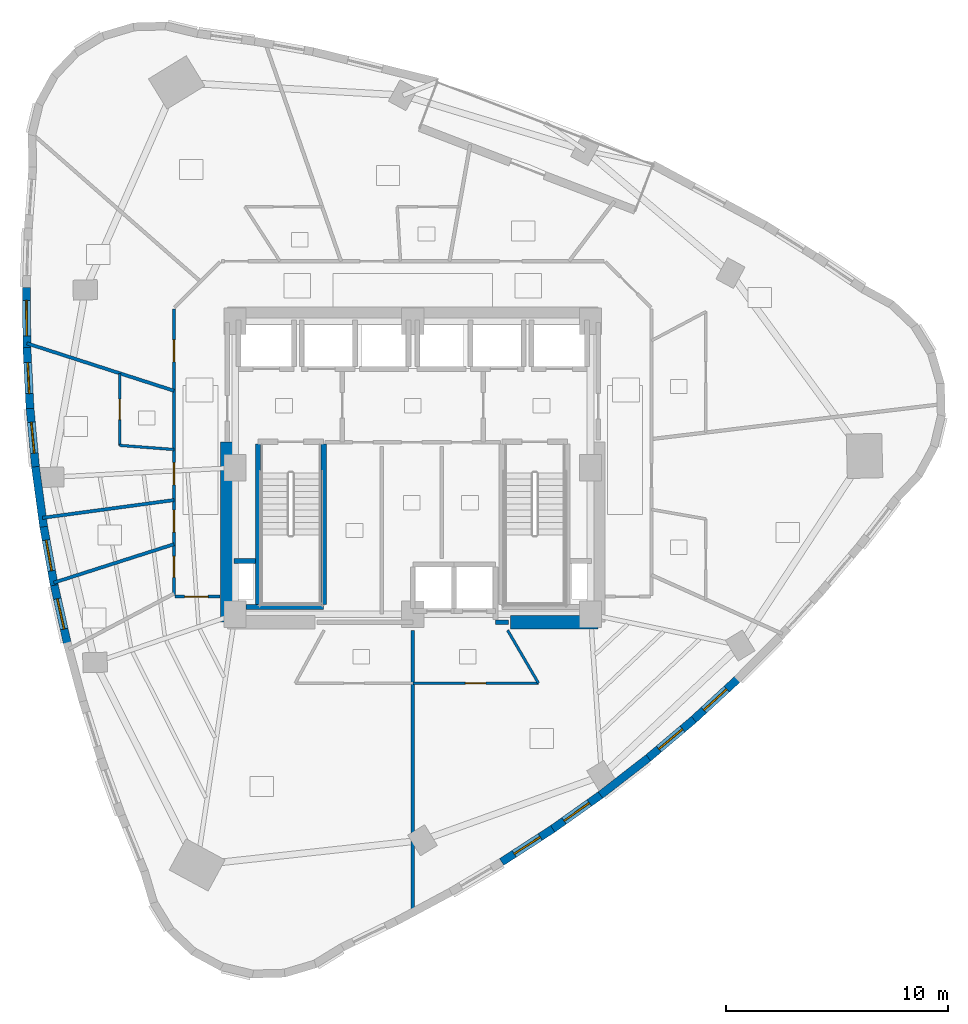
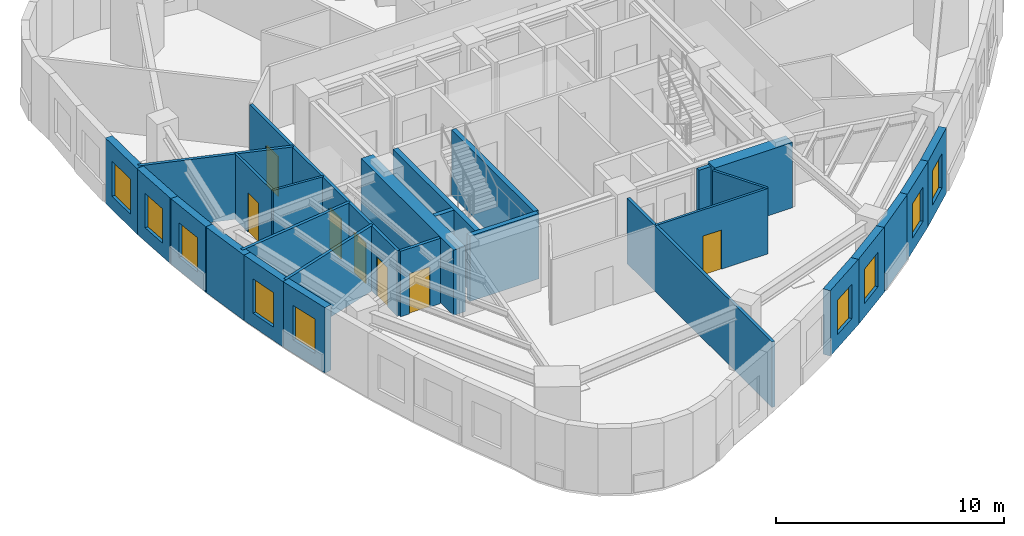
# One storey, part 6 of 12: 28 walls, 9 windows, 7 doors, 16 openings.
"""IFC4 building model written with IfcOpenShell, lengths in metres."""

from ifc_helpers import new_model, si_unit, direction, frame, frame_2d, origin, place, context, subcontext, project, spatial, rectangle, extrude, material, layer, layer_set, type_object, element, fill, save


model = new_model("IFC4")

# Units and contexts
model_context = context("Model", 3, precision=1e-05, world=origin(), true_north=direction((0.0, 1.0)))
body_context = subcontext(model_context, "Body", "Model", "MODEL_VIEW")
ifc_project = project(units=[si_unit("LENGTHUNIT", "METRE"), si_unit("AREAUNIT", "SQUARE_METRE"), si_unit("VOLUMEUNIT", "CUBIC_METRE"), si_unit("PLANEANGLEUNIT", "RADIAN"), si_unit("MASSUNIT", "GRAM", prefix="KILO")], contexts=[model_context])

# Site, building, storey
site_placement = place(None, origin())
site = spatial("IfcSite", under=ifc_project, at=site_placement, CompositionType="ELEMENT")
building_placement = place(site_placement, origin())
building = spatial("IfcBuilding", under=site, at=building_placement, Name="Ndelora Gate Hotel", CompositionType="ELEMENT")
storey_placement = place(building_placement, frame((0.0, 0.0, 161.0)))
storey = spatial("IfcBuildingStorey", under=building, at=storey_placement, Name="L40", CompositionType="ELEMENT", Elevation=161.0)

# Wall, opening, window
ifc_material_1 = material(Name="Clay Brick Masonry", Category="masonry")
ifc_layer_1 = layer(ifc_material_1, 0.360107421875)
ifc_layer_set_1 = layer_set([ifc_layer_1], Name="Clay Brick Masonry")
wall_type_1 = type_object("IfcWallType", Name="WL-BRICK-360", PredefinedType="SOLIDWALL", material=ifc_layer_set_1)
wall_1_placement = place(storey_placement, frame((-17.373779296875, 5.3603515625, 0.0), z_axis=(0.0, 0.0, 1.0), x_axis=(-0.009381778629, 0.999955990146, 0.0)))
wall_1 = element("IfcWall", 1, at=wall_1_placement, inside=storey, type_object=wall_type_1, Name="L40 Tower Brick Pier-and-Spandrel Wall TWR-11", PredefinedType="SOLIDWALL", context=body_context, shape_type="SweptSolid", body=[
    extrude(rectangle(XDim=2.75830078125, YDim=0.360107421875, at=frame_2d((1.379150390625, 0.0))), origin(), (0.0, 0.0, 1.0), 3.5),
])
opening_1_placement = place(wall_1_placement, frame((0.5791015625, 0.0, 0.719970703125)))
opening_1 = element("IfcOpeningElement", 2, at=opening_1_placement, cuts=wall_1, Name="Opening W01", PredefinedType="OPENING", context=body_context, shape_type="SweptSolid", body=[
    extrude(rectangle(XDim=1.60009765625, YDim=1.8798828125, at=frame_2d((0.800048828125, 0.93994140625))), frame((0.0, 0.18994140625, 0.0), z_axis=(0.0, -1.0, 0.0), x_axis=(1.0, 0.0, 0.0)), (0.0, 0.0, 1.0), 0.380126953125),
])
ifc_material_2 = material(Name="Insulated Low-E Double Glazing in Bronze Aluminium Frame", Category="aluminium")
window_type_1 = type_object("IfcWindowType", Name="WN-DEEP-1600", PartitioningType="SINGLE_PANEL", PredefinedType="WINDOW", material=ifc_material_2)
window_1_placement = place(opening_1_placement, origin())
window_1 = element("IfcWindow", 3, at=window_1_placement, inside=storey, type_object=window_type_1, Name="L40 Deep-Set Brick-Pier Window W01", OverallHeight=1.8798828125, OverallWidth=1.60009765625, PartitioningType="SINGLE_PANEL", PredefinedType="WINDOW", context=body_context, shape_type="SweptSolid", body=[
    extrude(rectangle(XDim=1.60009765625, YDim=1.8798828125, at=frame_2d((0.800048828125, 0.93994140625))), frame((0.0, 0.030029296875, 0.0), z_axis=(0.0, -1.0, 0.0), x_axis=(1.0, 0.0, 0.0)), (0.0, 0.0, 1.0), 0.06005859375),
])
fill(opening_1, window_1)

wall_2_placement = place(storey_placement, frame((-17.23486328125, 2.669921875, 0.0), z_axis=(0.0, 0.0, 1.0), x_axis=(-0.051157869298, 0.998690578913, 0.0)))
wall_2 = element("IfcWall", 4, at=wall_2_placement, inside=storey, type_object=wall_type_1, Name="L40 Tower Brick Pier-and-Spandrel Wall TWR-12", PredefinedType="SOLIDWALL", context=body_context, shape_type="SweptSolid", body=[
    extrude(rectangle(XDim=2.744140625, YDim=0.360107421875, at=frame_2d((1.3720703125, 0.0))), origin(), (0.0, 0.0, 1.0), 3.5),
])
opening_2_placement = place(wall_2_placement, frame((0.672119140625, 0.0, 0.719970703125)))
opening_2 = element("IfcOpeningElement", 5, at=opening_2_placement, cuts=wall_2, Name="Opening W02", PredefinedType="OPENING", context=body_context, shape_type="SweptSolid", body=[
    extrude(rectangle(XDim=1.39990234375, YDim=1.840087890625, at=frame_2d((0.699951171875, 0.919921875))), frame((0.0, 0.18994140625, 0.0), z_axis=(0.0, -1.0, 0.0), x_axis=(1.0, 0.0, 0.0)), (0.0, 0.0, 1.0), 0.380126953125),
])
window_type_2 = type_object("IfcWindowType", Name="WN-DEEP-1400", PartitioningType="SINGLE_PANEL", PredefinedType="WINDOW", material=ifc_material_2)
window_2_placement = place(opening_2_placement, origin())
window_2 = element("IfcWindow", 6, at=window_2_placement, inside=storey, type_object=window_type_2, Name="L40 Deep-Set Brick-Pier Window W02", OverallHeight=1.840087890625, OverallWidth=1.39990234375, PartitioningType="SINGLE_PANEL", PredefinedType="WINDOW", context=body_context, shape_type="SweptSolid", body=[
    extrude(rectangle(XDim=1.39990234375, YDim=1.840087890625, at=frame_2d((0.699951171875, 0.919921875))), frame((0.0, 0.030029296875, 0.0), z_axis=(0.0, -1.0, 0.0), x_axis=(1.0, 0.0, 0.0)), (0.0, 0.0, 1.0), 0.06005859375),
])
fill(opening_2, window_2)

wall_3_placement = place(storey_placement, frame((-16.9833984375, -0.002685546875, 0.0), z_axis=(0.0, 0.0, 1.0), x_axis=(-0.09321624124, 0.995645887035, 0.0)))
wall_3 = element("IfcWall", 7, at=wall_3_placement, inside=storey, type_object=wall_type_1, Name="L40 Tower Brick Pier-and-Spandrel Wall TWR-13", PredefinedType="SOLIDWALL", context=body_context, shape_type="SweptSolid", body=[
    extrude(rectangle(XDim=2.734375, YDim=0.360107421875, at=frame_2d((1.3671875, 0.0))), origin(), (0.0, 0.0, 1.0), 3.5),
])
opening_3_placement = place(wall_3_placement, frame((0.667236328125, 0.0, 0.719970703125)))
opening_3 = element("IfcOpeningElement", 8, at=opening_3_placement, cuts=wall_3, Name="Opening W02", PredefinedType="OPENING", context=body_context, shape_type="SweptSolid", body=[
    extrude(rectangle(XDim=1.39990234375, YDim=1.840087890625, at=frame_2d((0.699951171875, 0.919921875))), frame((0.0, 0.18994140625, 0.0), z_axis=(0.0, -1.0, 0.0), x_axis=(1.0, 0.0, 0.0)), (0.0, 0.0, 1.0), 0.380126953125),
])
window_3_placement = place(opening_3_placement, origin())
window_3 = element("IfcWindow", 9, at=window_3_placement, inside=storey, type_object=window_type_2, Name="L40 Deep-Set Brick-Pier Window W02", OverallHeight=1.840087890625, OverallWidth=1.39990234375, PartitioningType="SINGLE_PANEL", PredefinedType="WINDOW", context=body_context, shape_type="SweptSolid", body=[
    extrude(rectangle(XDim=1.39990234375, YDim=1.840087890625, at=frame_2d((0.699951171875, 0.919921875))), frame((0.0, 0.030029296875, 0.0), z_axis=(0.0, -1.0, 0.0), x_axis=(1.0, 0.0, 0.0)), (0.0, 0.0, 1.0), 0.06005859375),
])
fill(opening_3, window_3)

# Wall
wall_4_placement = place(storey_placement, frame((-16.61962890625, -2.65771484375, 0.0), z_axis=(0.0, 0.0, 1.0), x_axis=(-0.135408542402, 0.99078984989, 0.0)))
element("IfcWall", 10, at=wall_4_placement, inside=storey, type_object=wall_type_1, Name="L40 Tower Brick Pier-and-Spandrel Wall TWR-14", PredefinedType="SOLIDWALL", context=body_context, shape_type="SweptSolid", body=[
    extrude(rectangle(XDim=2.729736328125, YDim=0.360107421875, at=frame_2d((1.36474609375, 0.0))), origin(), (0.0, 0.0, 1.0), 3.5),
])

# Wall, opening, window
wall_5_placement = place(storey_placement, frame((-16.143310546875, -5.29443359375, 0.0), z_axis=(0.0, 0.0, 1.0), x_axis=(-0.177366119488, 0.984144938339, 0.0)))
wall_5 = element("IfcWall", 11, at=wall_5_placement, inside=storey, type_object=wall_type_1, Name="L40 Tower Brick Pier-and-Spandrel Wall TWR-15", PredefinedType="SOLIDWALL", context=body_context, shape_type="SweptSolid", body=[
    extrude(rectangle(XDim=2.7294921875, YDim=0.360107421875, at=frame_2d((1.36474609375, 0.0))), origin(), (0.0, 0.0, 1.0), 3.5),
])
opening_4_placement = place(wall_5_placement, frame((0.664794921875, 0.0, 0.719970703125)))
opening_4 = element("IfcOpeningElement", 12, at=opening_4_placement, cuts=wall_5, Name="Opening W02", PredefinedType="OPENING", context=body_context, shape_type="SweptSolid", body=[
    extrude(rectangle(XDim=1.39990234375, YDim=1.840087890625, at=frame_2d((0.699951171875, 0.919921875))), frame((0.0, 0.18994140625, 0.0), z_axis=(0.0, -1.0, 0.0), x_axis=(1.0, 0.0, 0.0)), (0.0, 0.0, 1.0), 0.380126953125),
])
window_4_placement = place(opening_4_placement, origin())
window_4 = element("IfcWindow", 13, at=window_4_placement, inside=storey, type_object=window_type_2, Name="L40 Deep-Set Brick-Pier Window W02", OverallHeight=1.840087890625, OverallWidth=1.39990234375, PartitioningType="SINGLE_PANEL", PredefinedType="WINDOW", context=body_context, shape_type="SweptSolid", body=[
    extrude(rectangle(XDim=1.39990234375, YDim=1.840087890625, at=frame_2d((0.699951171875, 0.919921875))), frame((0.0, 0.030029296875, 0.0), z_axis=(0.0, -1.0, 0.0), x_axis=(1.0, 0.0, 0.0)), (0.0, 0.0, 1.0), 0.06005859375),
])
fill(opening_4, window_4)

wall_6_placement = place(storey_placement, frame((-15.55419921875, -7.91357421875, 0.0), z_axis=(0.0, 0.0, 1.0), x_axis=(-0.219019260065, 0.975720535666, 0.0)))
wall_6 = element("IfcWall", 14, at=wall_6_placement, inside=storey, type_object=wall_type_1, Name="L40 Tower Brick Pier-and-Spandrel Wall TWR-16", PredefinedType="SOLIDWALL", context=body_context, shape_type="SweptSolid", body=[
    extrude(rectangle(XDim=2.734375, YDim=0.360107421875, at=frame_2d((1.3671875, 0.0))), origin(), (0.0, 0.0, 1.0), 3.5),
])
opening_5_placement = place(wall_6_placement, frame((0.667236328125, 0.0, 0.719970703125)))
opening_5 = element("IfcOpeningElement", 15, at=opening_5_placement, cuts=wall_6, Name="Opening W02", PredefinedType="OPENING", context=body_context, shape_type="SweptSolid", body=[
    extrude(rectangle(XDim=1.39990234375, YDim=1.840087890625, at=frame_2d((0.699951171875, 0.919921875))), frame((0.0, 0.18994140625, 0.0), z_axis=(0.0, -1.0, 0.0), x_axis=(1.0, 0.0, 0.0)), (0.0, 0.0, 1.0), 0.380126953125),
])
window_5_placement = place(opening_5_placement, origin())
window_5 = element("IfcWindow", 16, at=window_5_placement, inside=storey, type_object=window_type_2, Name="L40 Deep-Set Brick-Pier Window W02", OverallHeight=1.840087890625, OverallWidth=1.39990234375, PartitioningType="SINGLE_PANEL", PredefinedType="WINDOW", context=body_context, shape_type="SweptSolid", body=[
    extrude(rectangle(XDim=1.39990234375, YDim=1.840087890625, at=frame_2d((0.699951171875, 0.919921875))), frame((0.0, 0.030029296875, 0.0), z_axis=(0.0, -1.0, 0.0), x_axis=(1.0, 0.0, 0.0)), (0.0, 0.0, 1.0), 0.06005859375),
])
fill(opening_5, window_5)

wall_7_placement = place(storey_placement, frame((6.305419921875, -16.2607421875, 0.0), z_axis=(0.0, 0.0, 1.0), x_axis=(-0.839300336379, -0.543668047023, 0.0)))
wall_7 = element("IfcWall", 17, at=wall_7_placement, inside=storey, type_object=wall_type_1, Name="L40 Tower Brick Pier-and-Spandrel Wall TWR-32", PredefinedType="SOLIDWALL", context=body_context, shape_type="SweptSolid", body=[
    extrude(rectangle(XDim=2.744140625, YDim=0.360107421875, at=frame_2d((1.3720703125, 0.0))), origin(), (0.0, 0.0, 1.0), 3.5),
])
opening_6_placement = place(wall_7_placement, frame((0.672119140625, 0.0, 0.719970703125)))
opening_6 = element("IfcOpeningElement", 18, at=opening_6_placement, cuts=wall_7, Name="Opening W02", PredefinedType="OPENING", context=body_context, shape_type="SweptSolid", body=[
    extrude(rectangle(XDim=1.39990234375, YDim=1.840087890625, at=frame_2d((0.699951171875, 0.919921875))), frame((0.0, 0.18994140625, 0.0), z_axis=(0.0, -1.0, 0.0), x_axis=(1.0, 0.0, 0.0)), (0.0, 0.0, 1.0), 0.380126953125),
])
window_6_placement = place(opening_6_placement, origin())
window_6 = element("IfcWindow", 19, at=window_6_placement, inside=storey, type_object=window_type_2, Name="L40 Deep-Set Brick-Pier Window W02", OverallHeight=1.840087890625, OverallWidth=1.39990234375, PartitioningType="SINGLE_PANEL", PredefinedType="WINDOW", context=body_context, shape_type="SweptSolid", body=[
    extrude(rectangle(XDim=1.39990234375, YDim=1.840087890625, at=frame_2d((0.699951171875, 0.919921875))), frame((0.0, 0.030029296875, 0.0), z_axis=(0.0, -1.0, 0.0), x_axis=(1.0, 0.0, 0.0)), (0.0, 0.0, 1.0), 0.06005859375),
])
fill(opening_6, window_6)

wall_8_placement = place(storey_placement, frame((8.494140625, -14.706787109375, 0.0), z_axis=(0.0, 0.0, 1.0), x_axis=(-0.815629470239, -0.578574599579, 0.0)))
wall_8 = element("IfcWall", 20, at=wall_8_placement, inside=storey, type_object=wall_type_1, Name="L40 Tower Brick Pier-and-Spandrel Wall TWR-33", PredefinedType="SOLIDWALL", context=body_context, shape_type="SweptSolid", body=[
    extrude(rectangle(XDim=2.734375, YDim=0.360107421875, at=frame_2d((1.3671875, 0.0))), origin(), (0.0, 0.0, 1.0), 3.5),
])
opening_7_placement = place(wall_8_placement, frame((0.667236328125, 0.0, 0.719970703125)))
opening_7 = element("IfcOpeningElement", 21, at=opening_7_placement, cuts=wall_8, Name="Opening W02", PredefinedType="OPENING", context=body_context, shape_type="SweptSolid", body=[
    extrude(rectangle(XDim=1.39990234375, YDim=1.840087890625, at=frame_2d((0.699951171875, 0.919921875))), frame((0.0, 0.18994140625, 0.0), z_axis=(0.0, -1.0, 0.0), x_axis=(1.0, 0.0, 0.0)), (0.0, 0.0, 1.0), 0.380126953125),
])
window_7_placement = place(opening_7_placement, origin())
window_7 = element("IfcWindow", 22, at=window_7_placement, inside=storey, type_object=window_type_2, Name="L40 Deep-Set Brick-Pier Window W02", OverallHeight=1.840087890625, OverallWidth=1.39990234375, PartitioningType="SINGLE_PANEL", PredefinedType="WINDOW", context=body_context, shape_type="SweptSolid", body=[
    extrude(rectangle(XDim=1.39990234375, YDim=1.840087890625, at=frame_2d((0.699951171875, 0.919921875))), frame((0.0, 0.030029296875, 0.0), z_axis=(0.0, -1.0, 0.0), x_axis=(1.0, 0.0, 0.0)), (0.0, 0.0, 1.0), 0.06005859375),
])
fill(opening_7, window_7)

# Wall
wall_9_placement = place(storey_placement, frame((10.611328125, -13.064208984375, 0.0), z_axis=(0.0, 0.0, 1.0), x_axis=(-0.790324098026, -0.612689007637, 0.0)))
element("IfcWall", 23, at=wall_9_placement, inside=storey, type_object=wall_type_1, Name="L40 Tower Brick Pier-and-Spandrel Wall TWR-34", PredefinedType="SOLIDWALL", context=body_context, shape_type="SweptSolid", body=[
    extrude(rectangle(XDim=2.7294921875, YDim=0.360107421875, at=frame_2d((1.36474609375, 0.0))), origin(), (0.0, 0.0, 1.0), 3.5),
])

# Wall, opening, window
wall_10_placement = place(storey_placement, frame((12.65673828125, -11.333251953125, 0.0), z_axis=(0.0, 0.0, 1.0), x_axis=(-0.76358981137, -0.645701633862, 0.0)))
wall_10 = element("IfcWall", 24, at=wall_10_placement, inside=storey, type_object=wall_type_1, Name="L40 Tower Brick Pier-and-Spandrel Wall TWR-35", PredefinedType="SOLIDWALL", context=body_context, shape_type="SweptSolid", body=[
    extrude(rectangle(XDim=2.7294921875, YDim=0.360107421875, at=frame_2d((1.36474609375, 0.0))), origin(), (0.0, 0.0, 1.0), 3.5),
])
opening_8_placement = place(wall_10_placement, frame((0.664794921875, 0.0, 0.719970703125)))
opening_8 = element("IfcOpeningElement", 25, at=opening_8_placement, cuts=wall_10, Name="Opening W02", PredefinedType="OPENING", context=body_context, shape_type="SweptSolid", body=[
    extrude(rectangle(XDim=1.39990234375, YDim=1.840087890625, at=frame_2d((0.699951171875, 0.919921875))), frame((0.0, 0.18994140625, 0.0), z_axis=(0.0, -1.0, 0.0), x_axis=(1.0, 0.0, 0.0)), (0.0, 0.0, 1.0), 0.380126953125),
])
window_8_placement = place(opening_8_placement, origin())
window_8 = element("IfcWindow", 26, at=window_8_placement, inside=storey, type_object=window_type_2, Name="L40 Deep-Set Brick-Pier Window W02", OverallHeight=1.840087890625, OverallWidth=1.39990234375, PartitioningType="SINGLE_PANEL", PredefinedType="WINDOW", context=body_context, shape_type="SweptSolid", body=[
    extrude(rectangle(XDim=1.39990234375, YDim=1.840087890625, at=frame_2d((0.699951171875, 0.919921875))), frame((0.0, 0.030029296875, 0.0), z_axis=(0.0, -1.0, 0.0), x_axis=(1.0, 0.0, 0.0)), (0.0, 0.0, 1.0), 0.06005859375),
])
fill(opening_8, window_8)

wall_11_placement = place(storey_placement, frame((14.630615234375, -9.513671875, 0.0), z_axis=(0.0, 0.0, 1.0), x_axis=(-0.735528713193, -0.677493551312, 0.0)))
wall_11 = element("IfcWall", 27, at=wall_11_placement, inside=storey, type_object=wall_type_1, Name="L40 Tower Brick Pier-and-Spandrel Wall TWR-36", PredefinedType="SOLIDWALL", context=body_context, shape_type="SweptSolid", body=[
    extrude(rectangle(XDim=2.734375, YDim=0.360107421875, at=frame_2d((1.3671875, 0.0))), origin(), (0.0, 0.0, 1.0), 3.5),
])
opening_9_placement = place(wall_11_placement, frame((0.667236328125, 0.0, 0.719970703125)))
opening_9 = element("IfcOpeningElement", 28, at=opening_9_placement, cuts=wall_11, Name="Opening W02", PredefinedType="OPENING", context=body_context, shape_type="SweptSolid", body=[
    extrude(rectangle(XDim=1.39990234375, YDim=1.840087890625, at=frame_2d((0.699951171875, 0.919921875))), frame((0.0, 0.18994140625, 0.0), z_axis=(0.0, -1.0, 0.0), x_axis=(1.0, 0.0, 0.0)), (0.0, 0.0, 1.0), 0.380126953125),
])
window_9_placement = place(opening_9_placement, origin())
window_9 = element("IfcWindow", 29, at=window_9_placement, inside=storey, type_object=window_type_2, Name="L40 Deep-Set Brick-Pier Window W02", OverallHeight=1.840087890625, OverallWidth=1.39990234375, PartitioningType="SINGLE_PANEL", PredefinedType="WINDOW", context=body_context, shape_type="SweptSolid", body=[
    extrude(rectangle(XDim=1.39990234375, YDim=1.840087890625, at=frame_2d((0.699951171875, 0.919921875))), frame((0.0, 0.030029296875, 0.0), z_axis=(0.0, -1.0, 0.0), x_axis=(1.0, 0.0, 0.0)), (0.0, 0.0, 1.0), 0.06005859375),
])
fill(opening_9, window_9)

# Walls
ifc_material_3 = material(Name="Concrete C60/75", Category="concrete")
ifc_layer_2 = layer(ifc_material_3, 0.60009765625)
ifc_layer_set_2 = layer_set([ifc_layer_2], Name="Concrete C60/75")
wall_type_2 = type_object("IfcWallType", Name="WL-CORE-600", PredefinedType="SHEAR", material=ifc_layer_set_2)
wall_12_placement = place(storey_placement, frame((4.39990234375, -6.949951171875, 0.0), z_axis=(0.0, 0.0, 1.0), x_axis=(1.0, 0.0, 0.0)))
element("IfcWall", 30, at=wall_12_placement, inside=storey, type_object=wall_type_2, Name="L40 Core Shear Wall S-E", PredefinedType="SHEAR", context=body_context, shape_type="SweptSolid", body=[
    extrude(rectangle(XDim=3.9501953125, YDim=0.60009765625, at=frame_2d((1.97509765625, 0.0))), origin(), (0.0, 0.0, 1.0), 3.5),
])
wall_13_placement = place(storey_placement, frame((-8.35009765625, -6.949951171875, 0.0), z_axis=(0.0, 0.0, 1.0), x_axis=(0.0, 1.0, 0.0)))
element("IfcWall", 31, at=wall_13_placement, inside=storey, type_object=wall_type_2, Name="L40 Core Shear Wall W", PredefinedType="SHEAR", context=body_context, shape_type="SweptSolid", body=[
    extrude(rectangle(XDim=8.099853515625, YDim=0.60009765625, at=frame_2d((4.0498046875, 0.0))), origin(), (0.0, 0.0, 1.0), 3.5),
])
ifc_material_4 = material(Name="Concrete C40/50", Category="concrete")
ifc_layer_3 = layer(ifc_material_4, 0.199951171875)
ifc_layer_set_3 = layer_set([ifc_layer_3], Name="Concrete C40/50")
wall_type_3 = type_object("IfcWallType", Name="WL-FIRE-200", PredefinedType="PARTITIONING", material=ifc_layer_set_3)
wall_14_placement = place(storey_placement, frame((3.719970703125, -6.949951171875, 0.0), z_axis=(0.0, 0.0, 1.0), x_axis=(1.0, 0.0, 0.0)))
element("IfcWall", 32, at=wall_14_placement, inside=storey, type_object=wall_type_3, Name="L40 Interior Wall IW-2", PredefinedType="PARTITIONING", context=body_context, shape_type="SweptSolid", body=[
    extrude(rectangle(XDim=0.60009765625, YDim=0.199951171875, at=frame_2d((0.300048828125, 0.0))), origin(), (0.0, 0.0, 1.0), 3.5),
])

# Wall, opening, door
ifc_material_5 = material(Name="Fire-Rated Gypsum Stud Partition", Category="gypsum")
ifc_layer_4 = layer(ifc_material_5, 0.14990234375)
ifc_layer_set_4 = layer_set([ifc_layer_4], Name="Fire-Rated Gypsum Stud Partition")
wall_type_4 = type_object("IfcWallType", Name="WL-PART-150", PredefinedType="PARTITIONING", material=ifc_layer_set_4)
wall_15_placement = place(storey_placement, frame((-8.68994140625, -5.800048828125, 0.0), z_axis=(0.0, 0.0, 1.0), x_axis=(-1.0, 0.0, 0.0)))
wall_15 = element("IfcWall", 33, at=wall_15_placement, inside=storey, type_object=wall_type_4, Name="L40 Interior Wall IW-5", PredefinedType="PARTITIONING", context=body_context, shape_type="SweptSolid", body=[
    extrude(rectangle(XDim=2.02001953125, YDim=0.14990234375, at=frame_2d((1.010009765625, 0.0))), origin(), (0.0, 0.0, 1.0), 3.5),
])
opening_10_placement = place(wall_15_placement, frame((0.52001953125, 0.0, 0.0)))
opening_10 = element("IfcOpeningElement", 34, at=opening_10_placement, cuts=wall_15, Name="Opening D07", PredefinedType="OPENING", context=body_context, shape_type="SweptSolid", body=[
    extrude(rectangle(XDim=1.06005859375, YDim=2.14990234375, at=frame_2d((0.530029296875, 1.074951171875))), frame((0.0, 0.0849609375, 0.0), z_axis=(0.0, -1.0, 0.0), x_axis=(1.0, 0.0, 0.0)), (0.0, 0.0, 1.0), 0.169921875),
])
ifc_material_6 = material(Name="Diplomatic Suite Acoustic Entrance Door", Category="wood")
door_type_1 = type_object("IfcDoorType", Name="DR-SUITE-1060", OperationType="SINGLE_SWING_LEFT", PredefinedType="DOOR", material=ifc_material_6)
door_1_placement = place(opening_10_placement, origin())
door_1 = element("IfcDoor", 35, at=door_1_placement, inside=storey, type_object=door_type_1, Name="L40 Club King Corner Suite 4301 Entrance Door", OperationType="SINGLE_SWING_RIGHT", OverallHeight=2.14990234375, OverallWidth=1.06005859375, PredefinedType="DOOR", context=body_context, shape_type="SweptSolid", body=[
    extrude(rectangle(XDim=1.06005859375, YDim=2.14990234375, at=frame_2d((0.530029296875, 1.074951171875))), frame((0.0, 0.02490234375, 0.0), z_axis=(0.0, -1.0, 0.0), x_axis=(1.0, 0.0, 0.0)), (0.0, 0.0, 1.0), 0.050048828125),
])
fill(opening_10, door_1)

# Wall, openings, doors
wall_16_placement = place(storey_placement, frame((-10.75, -5.760009765625, 0.0), z_axis=(0.0, 0.0, 1.0), x_axis=(0.0, 1.0, 0.0)))
wall_16 = element("IfcWall", 36, at=wall_16_placement, inside=storey, type_object=wall_type_4, Name="L40 Interior Wall IW-5", PredefinedType="PARTITIONING", context=body_context, shape_type="SweptSolid", body=[
    extrude(rectangle(XDim=12.919921875, YDim=0.14990234375, at=frame_2d((6.4599609375, 0.0))), origin(), (0.0, 0.0, 1.0), 3.5),
])
opening_11_placement = place(wall_16_placement, frame((0.82421875, 0.0, 0.0)))
opening_11 = element("IfcOpeningElement", 37, at=opening_11_placement, cuts=wall_16, Name="Opening D05", PredefinedType="OPENING", context=body_context, shape_type="SweptSolid", body=[
    extrude(rectangle(XDim=0.949951171875, YDim=2.10009765625, at=frame_2d((0.47509765625, 1.050048828125))), frame((0.0, 0.0849609375, 0.0), z_axis=(0.0, -1.0, 0.0), x_axis=(1.0, 0.0, 0.0)), (0.0, 0.0, 1.0), 0.169921875),
])
opening_12_placement = place(wall_16_placement, frame((2.85791015625, 0.0, 0.0)))
opening_12 = element("IfcOpeningElement", 38, at=opening_12_placement, cuts=wall_16, Name="Opening D01", PredefinedType="OPENING", context=body_context, shape_type="SweptSolid", body=[
    extrude(rectangle(XDim=1.0, YDim=2.14990234375, at=frame_2d((0.5, 1.074951171875))), frame((0.0, 0.0849609375, 0.0), z_axis=(0.0, -1.0, 0.0), x_axis=(1.0, 0.0, 0.0)), (0.0, 0.0, 1.0), 0.169921875),
])
opening_13_placement = place(wall_16_placement, frame((4.992431640625, 0.0, 0.0)))
opening_13 = element("IfcOpeningElement", 39, at=opening_13_placement, cuts=wall_16, Name="Opening D01", PredefinedType="OPENING", context=body_context, shape_type="SweptSolid", body=[
    extrude(rectangle(XDim=1.0, YDim=2.14990234375, at=frame_2d((0.5, 1.074951171875))), frame((0.0, 0.0849609375, 0.0), z_axis=(0.0, -1.0, 0.0), x_axis=(1.0, 0.0, 0.0)), (0.0, 0.0, 1.0), 0.169921875),
])
opening_14_placement = place(wall_16_placement, frame((10.52294921875, 0.0, 0.0)))
opening_14 = element("IfcOpeningElement", 40, at=opening_14_placement, cuts=wall_16, Name="Opening D01", PredefinedType="OPENING", context=body_context, shape_type="SweptSolid", body=[
    extrude(rectangle(XDim=1.0, YDim=2.14990234375, at=frame_2d((0.5, 1.074951171875))), frame((0.0, 0.0849609375, 0.0), z_axis=(0.0, -1.0, 0.0), x_axis=(1.0, 0.0, 0.0)), (0.0, 0.0, 1.0), 0.169921875),
])
ifc_material_7 = material(Name="Accessible Restroom Wide-Clearance Door", Category="wood")
door_type_2 = type_object("IfcDoorType", Name="DR-ACC-950", OperationType="SINGLE_SWING_LEFT", PredefinedType="DOOR", material=ifc_material_7)
door_2_placement = place(opening_11_placement, origin())
door_2 = element("IfcDoor", 41, at=door_2_placement, inside=storey, type_object=door_type_2, Name="L40 Accessible WC Entrance Door", OperationType="SINGLE_SWING_RIGHT", OverallHeight=2.10009765625, OverallWidth=0.949951171875, PredefinedType="DOOR", context=body_context, shape_type="SweptSolid", body=[
    extrude(rectangle(XDim=0.949951171875, YDim=2.10009765625, at=frame_2d((0.47509765625, 1.050048828125))), frame((0.0, 0.02490234375, 0.0), z_axis=(0.0, -1.0, 0.0), x_axis=(1.0, 0.0, 0.0)), (0.0, 0.0, 1.0), 0.050048828125),
])
fill(opening_11, door_2)
ifc_material_8 = material(Name="Acoustic Hardwood Guest Entrance Door", Category="wood")
door_type_3 = type_object("IfcDoorType", Name="DR-COR-1000", OperationType="SINGLE_SWING_LEFT", PredefinedType="DOOR", material=ifc_material_8)
door_3_placement = place(opening_12_placement, origin())
door_3 = element("IfcDoor", 42, at=door_3_placement, inside=storey, type_object=door_type_3, Name="L40 Housekeeping and Linen Room Entrance Door", OperationType="SINGLE_SWING_LEFT", OverallHeight=2.14990234375, OverallWidth=1.0, PredefinedType="DOOR", context=body_context, shape_type="SweptSolid", body=[
    extrude(rectangle(XDim=1.0, YDim=2.14990234375, at=frame_2d((0.5, 1.074951171875))), frame((0.0, 0.02490234375, 0.0), z_axis=(0.0, -1.0, 0.0), x_axis=(1.0, 0.0, 0.0)), (0.0, 0.0, 1.0), 0.050048828125),
])
fill(opening_12, door_3)
door_4_placement = place(opening_13_placement, origin())
door_4 = element("IfcDoor", 43, at=door_4_placement, inside=storey, type_object=door_type_3, Name="L40 Club Twin Guest Room 4307 Entrance Door", OperationType="SINGLE_SWING_LEFT", OverallHeight=2.14990234375, OverallWidth=1.0, PredefinedType="DOOR", context=body_context, shape_type="SweptSolid", body=[
    extrude(rectangle(XDim=1.0, YDim=2.14990234375, at=frame_2d((0.5, 1.074951171875))), frame((0.0, 0.02490234375, 0.0), z_axis=(0.0, -1.0, 0.0), x_axis=(1.0, 0.0, 0.0)), (0.0, 0.0, 1.0), 0.050048828125),
])
fill(opening_13, door_4)
door_5_placement = place(opening_14_placement, origin())
door_5 = element("IfcDoor", 44, at=door_5_placement, inside=storey, type_object=door_type_3, Name="L40 Quiet Reading Library Entrance Door", OperationType="SINGLE_SWING_LEFT", OverallHeight=2.14990234375, OverallWidth=1.0, PredefinedType="DOOR", context=body_context, shape_type="SweptSolid", body=[
    extrude(rectangle(XDim=1.0, YDim=2.14990234375, at=frame_2d((0.5, 1.074951171875))), frame((0.0, 0.02490234375, 0.0), z_axis=(0.0, -1.0, 0.0), x_axis=(1.0, 0.0, 0.0)), (0.0, 0.0, 1.0), 0.050048828125),
])
fill(opening_14, door_5)

# Walls
wall_17_placement = place(storey_placement, frame((0.0, -7.320068359375, 0.0), z_axis=(0.0, 0.0, 1.0), x_axis=(0.0, -1.0, 0.0)))
element("IfcWall", 45, at=wall_17_placement, inside=storey, type_object=wall_type_4, Name="L40 Interior Wall IW-5", PredefinedType="PARTITIONING", context=body_context, shape_type="SweptSolid", body=[
    extrude(rectangle(XDim=12.7001953125, YDim=0.14990234375, at=frame_2d((6.35009765625, 0.0))), origin(), (0.0, 0.0, 1.0), 3.5),
])
wall_18_placement = place(storey_placement, frame((-10.75, 3.4658203125, 0.0), z_axis=(0.0, 0.0, 1.0), x_axis=(-0.951758183767, 0.306849082828, 0.0)))
element("IfcWall", 46, at=wall_18_placement, inside=storey, type_object=wall_type_4, Name="L40 Interior Wall IW-5", PredefinedType="PARTITIONING", context=body_context, shape_type="SweptSolid", body=[
    extrude(rectangle(XDim=6.9619140625, YDim=0.14990234375, at=frame_2d((3.48095703125, 0.0))), origin(), (0.0, 0.0, 1.0), 3.5),
])
wall_19_placement = place(storey_placement, frame((-10.75, -1.45458984375, 0.0), z_axis=(0.0, 0.0, 1.0), x_axis=(-0.990972499341, -0.134065303306, 0.0)))
element("IfcWall", 47, at=wall_19_placement, inside=storey, type_object=wall_type_4, Name="L40 Interior Wall IW-5", PredefinedType="PARTITIONING", context=body_context, shape_type="SweptSolid", body=[
    extrude(rectangle(XDim=5.978515625, YDim=0.14990234375, at=frame_2d((2.9892578125, 0.0))), origin(), (0.0, 0.0, 1.0), 3.5),
])
wall_20_placement = place(storey_placement, frame((-10.75, -3.441650390625, 0.0), z_axis=(0.0, 0.0, 1.0), x_axis=(-0.952377767895, -0.304920624457, 0.0)))
element("IfcWall", 48, at=wall_20_placement, inside=storey, type_object=wall_type_4, Name="L40 Interior Wall IW-5", PredefinedType="PARTITIONING", context=body_context, shape_type="SweptSolid", body=[
    extrude(rectangle(XDim=5.685546875, YDim=0.14990234375, at=frame_2d((2.8427734375, 0.0))), origin(), (0.0, 0.0, 1.0), 3.5),
])
ifc_layer_5 = layer(ifc_material_4, 0.219970703125)
ifc_layer_set_5 = layer_set([ifc_layer_5], Name="Concrete C40/50")
wall_type_5 = type_object("IfcWallType", Name="WL-SHAFT-220", PredefinedType="PARTITIONING", material=ifc_layer_set_5)
wall_21_placement = place(storey_placement, frame((-8.050048828125, -4.199951171875, 0.0), z_axis=(0.0, 0.0, 1.0), x_axis=(1.0, 0.0, 0.0)))
element("IfcWall", 49, at=wall_21_placement, inside=storey, type_object=wall_type_5, Name="L40 Interior Wall IW-1", PredefinedType="PARTITIONING", context=body_context, shape_type="SweptSolid", body=[
    extrude(rectangle(XDim=0.9599609375, YDim=0.219970703125, at=frame_2d((0.47998046875, 0.0))), origin(), (0.0, 0.0, 1.0), 3.5),
])
ifc_material_9 = material(Name="Concrete C50/60", Category="concrete")
ifc_layer_6 = layer(ifc_material_9, 0.239990234375)
ifc_layer_set_6 = layer_set([ifc_layer_6], Name="Concrete C50/60")
wall_type_6 = type_object("IfcWallType", Name="WL-STAIR-240", PredefinedType="SHEAR", material=ifc_layer_set_6)
wall_22_placement = place(storey_placement, frame((-6.969970703125, -6.159912109375, 0.0), z_axis=(0.0, 0.0, 1.0), x_axis=(0.0, 1.0, 0.0)))
element("IfcWall", 50, at=wall_22_placement, inside=storey, type_object=wall_type_6, Name="L40 Stair Core Shear Wall SW-ST", PredefinedType="SHEAR", context=body_context, shape_type="SweptSolid", body=[
    extrude(rectangle(XDim=7.219970703125, YDim=0.239990234375, at=frame_2d((3.60986328125, 0.0))), origin(), (0.0, 0.0, 1.0), 3.5),
])
wall_23_placement = place(storey_placement, frame((-7.5, -6.27001953125, 0.0), z_axis=(0.0, 0.0, 1.0), x_axis=(1.0, 0.0, 0.0)))
element("IfcWall", 51, at=wall_23_placement, inside=storey, type_object=wall_type_6, Name="L40 Stair Core Shear Wall SW-ST", PredefinedType="SHEAR", context=body_context, shape_type="SweptSolid", body=[
    extrude(rectangle(XDim=3.489990234375, YDim=0.239990234375, at=frame_2d((1.7451171875, 0.0))), origin(), (0.0, 0.0, 1.0), 3.5),
])
wall_24_placement = place(storey_placement, frame((-4.010009765625, -6.159912109375, 0.0), z_axis=(0.0, 0.0, 1.0), x_axis=(0.0, 1.0, 0.0)))
element("IfcWall", 52, at=wall_24_placement, inside=storey, type_object=wall_type_6, Name="L40 Stair Core Shear Wall SW-ST", PredefinedType="SHEAR", context=body_context, shape_type="SweptSolid", body=[
    extrude(rectangle(XDim=7.219970703125, YDim=0.239990234375, at=frame_2d((3.60986328125, 0.0))), origin(), (0.0, 0.0, 1.0), 3.5),
])
ifc_material_10 = material(Name="Moisture-Resistant Bathroom Tile Partition", Category="gypsum")
ifc_layer_7 = layer(ifc_material_10, 0.1201171875)
ifc_layer_set_7 = layer_set([ifc_layer_7], Name="Moisture-Resistant Bathroom Tile Partition")
wall_type_7 = type_object("IfcWallType", Name="WL-WET-120", PredefinedType="PARTITIONING", material=ifc_layer_set_7)
wall_25_placement = place(storey_placement, frame((5.660888671875, -9.699951171875, 0.0), z_axis=(0.0, 0.0, 1.0), x_axis=(-0.50404729756, 0.863676051435, 0.0)))
element("IfcWall", 53, at=wall_25_placement, inside=storey, type_object=wall_type_7, Name="L40 Interior Wall IW-7", PredefinedType="PARTITIONING", context=body_context, shape_type="SweptSolid", body=[
    extrude(rectangle(XDim=2.755615234375, YDim=0.1201171875, at=frame_2d((1.3779296875, 0.0))), origin(), (0.0, 0.0, 1.0), 3.5),
])

# Wall, opening, door
wall_26_placement = place(storey_placement, frame((5.660888671875, -9.699951171875, 0.0), z_axis=(0.0, 0.0, 1.0), x_axis=(-1.0, 0.0, 0.0)))
wall_26 = element("IfcWall", 54, at=wall_26_placement, inside=storey, type_object=wall_type_7, Name="L40 Interior Wall IW-7", PredefinedType="PARTITIONING", context=body_context, shape_type="SweptSolid", body=[
    extrude(rectangle(XDim=5.660888671875, YDim=0.1201171875, at=frame_2d((2.83056640625, 0.0))), origin(), (0.0, 0.0, 1.0), 3.5),
])
opening_15_placement = place(wall_26_placement, frame((2.37060546875, 0.0, 0.0)))
opening_15 = element("IfcOpeningElement", 55, at=opening_15_placement, cuts=wall_26, Name="Opening D03", PredefinedType="OPENING", context=body_context, shape_type="SweptSolid", body=[
    extrude(rectangle(XDim=0.919921875, YDim=2.10009765625, at=frame_2d((0.4599609375, 1.050048828125))), frame((0.0, 0.070068359375, 0.0), z_axis=(0.0, -1.0, 0.0), x_axis=(1.0, 0.0, 0.0)), (0.0, 0.0, 1.0), 0.14013671875),
])
ifc_material_11 = material(Name="Moisture-Resistant Hardwood En-Suite Door", Category="wood")
door_type_4 = type_object("IfcDoorType", Name="DR-BATH-920", OperationType="SINGLE_SWING_LEFT", PredefinedType="DOOR", material=ifc_material_11)
door_6_placement = place(opening_15_placement, origin())
door_6 = element("IfcDoor", 56, at=door_6_placement, inside=storey, type_object=door_type_4, Name="L40 En-suite Bathroom 4302 Door", OperationType="SINGLE_SWING_LEFT", OverallHeight=2.10009765625, OverallWidth=0.919921875, PredefinedType="DOOR", context=body_context, shape_type="SweptSolid", body=[
    extrude(rectangle(XDim=0.919921875, YDim=2.10009765625, at=frame_2d((0.4599609375, 1.050048828125))), frame((0.0, 0.02490234375, 0.0), z_axis=(0.0, -1.0, 0.0), x_axis=(1.0, 0.0, 0.0)), (0.0, 0.0, 1.0), 0.050048828125),
])
fill(opening_15, door_6)

# Wall
wall_27_placement = place(storey_placement, frame((-13.199951171875, 1.008544921875, 0.0), z_axis=(0.0, 0.0, 1.0), x_axis=(0.997091773564, -0.076210203321, 0.0)))
element("IfcWall", 57, at=wall_27_placement, inside=storey, type_object=wall_type_7, Name="L40 Interior Wall IW-7", PredefinedType="PARTITIONING", context=body_context, shape_type="SweptSolid", body=[
    extrude(rectangle(XDim=2.45703125, YDim=0.1201171875, at=frame_2d((1.228515625, 0.0))), origin(), (0.0, 0.0, 1.0), 3.5),
])

# Wall, opening, door
wall_28_placement = place(storey_placement, frame((-13.199951171875, 1.008544921875, 0.0), z_axis=(0.0, 0.0, 1.0), x_axis=(0.0, 1.0, 0.0)))
wall_28 = element("IfcWall", 58, at=wall_28_placement, inside=storey, type_object=wall_type_7, Name="L40 Interior Wall IW-7", PredefinedType="PARTITIONING", context=body_context, shape_type="SweptSolid", body=[
    extrude(rectangle(XDim=3.2470703125, YDim=0.1201171875, at=frame_2d((1.62353515625, 0.0))), origin(), (0.0, 0.0, 1.0), 3.5),
])
opening_16_placement = place(wall_28_placement, frame((1.16357421875, 0.0, 0.0)))
opening_16 = element("IfcOpeningElement", 59, at=opening_16_placement, cuts=wall_28, Name="Opening D03", PredefinedType="OPENING", context=body_context, shape_type="SweptSolid", body=[
    extrude(rectangle(XDim=0.919921875, YDim=2.10009765625, at=frame_2d((0.4599609375, 1.050048828125))), frame((0.0, 0.070068359375, 0.0), z_axis=(0.0, -1.0, 0.0), x_axis=(1.0, 0.0, 0.0)), (0.0, 0.0, 1.0), 0.14013671875),
])
door_7_placement = place(opening_16_placement, origin())
door_7 = element("IfcDoor", 60, at=door_7_placement, inside=storey, type_object=door_type_4, Name="L40 En-suite Bathroom 4307 Door", OperationType="SINGLE_SWING_RIGHT", OverallHeight=2.10009765625, OverallWidth=0.919921875, PredefinedType="DOOR", context=body_context, shape_type="SweptSolid", body=[
    extrude(rectangle(XDim=0.919921875, YDim=2.10009765625, at=frame_2d((0.4599609375, 1.050048828125))), frame((0.0, 0.02490234375, 0.0), z_axis=(0.0, -1.0, 0.0), x_axis=(1.0, 0.0, 0.0)), (0.0, 0.0, 1.0), 0.050048828125),
])
fill(opening_16, door_7)

save(model, "model.ifc")
